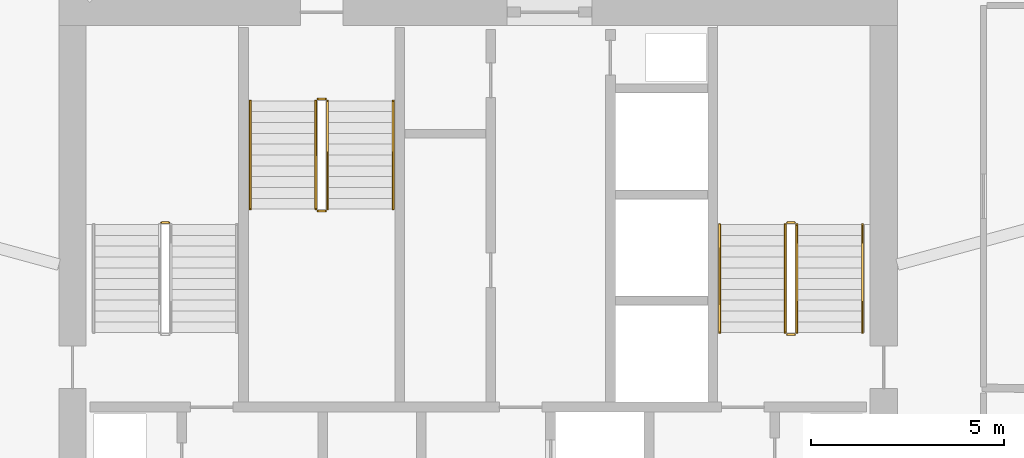
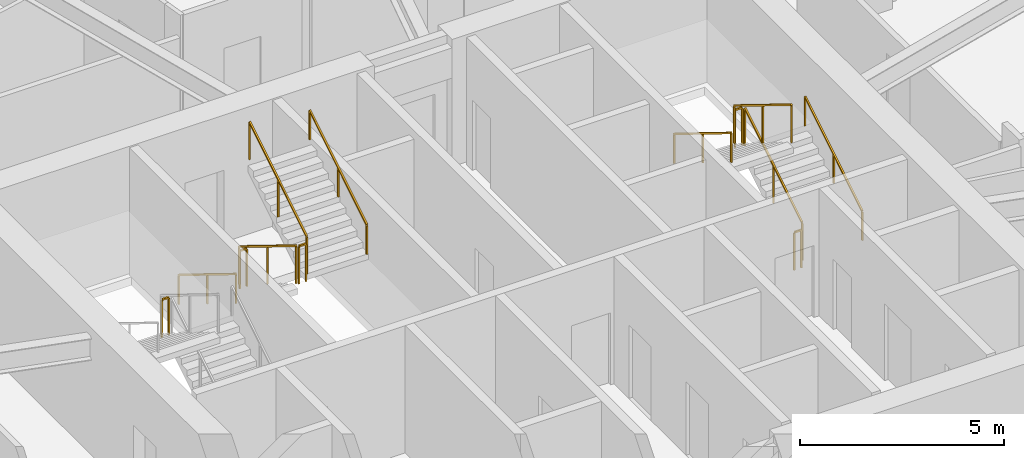
# One storey, part 24 of 25: 13 railings.
"""IFC4 building model written with IfcOpenShell, lengths in metres."""

from ifc_helpers import new_model, si_unit, direction, frame, origin, origin_2d, place, context, subcontext, project, spatial, rectangle, extrude, material, type_object, element, save


model = new_model("IFC4")

# Units and contexts
model_context = context("Model", 3, precision=1e-05, world=origin(), true_north=direction((0.0, 1.0)))
body_context = subcontext(model_context, "Body", "Model", "MODEL_VIEW")
ifc_project = project(units=[si_unit("LENGTHUNIT", "METRE"), si_unit("AREAUNIT", "SQUARE_METRE"), si_unit("VOLUMEUNIT", "CUBIC_METRE"), si_unit("PLANEANGLEUNIT", "RADIAN"), si_unit("MASSUNIT", "GRAM", prefix="KILO")], contexts=[model_context])

# Site, building, storey
site_placement = place(None, origin())
site = spatial("IfcSite", under=ifc_project, at=site_placement, CompositionType="ELEMENT")
building_placement = place(site_placement, origin())
building = spatial("IfcBuilding", under=site, at=building_placement, Name="Zuhravey Tower", CompositionType="ELEMENT")
storey_placement = place(building_placement, frame((0.0, 0.0, 180.800048828125)))
storey = spatial("IfcBuildingStorey", under=building, at=storey_placement, Name="L45", CompositionType="ELEMENT", Elevation=180.800048828125)

# Railings
ifc_material_1 = material(Name="Brushed stainless steel", Category="steel")
railing_type_1 = type_object("IfcRailingType", Name="Stair Wall Handrail 900", PredefinedType="HANDRAIL", material=ifc_material_1)
railing_1_placement = place(storey_placement, frame((45.949951171875, 33.199951171875, 0.172607421875)))
element("IfcRailing", 1, at=railing_1_placement, inside=storey, type_object=railing_type_1, Name="L45 ST2 stair handrail 1", PredefinedType="HANDRAIL", context=body_context, shape_type="SweptSolid", body=[
    extrude(rectangle(XDim=0.048095703125, YDim=0.048095703125, at=origin_2d()), frame((0.0, 0.001708984375, 0.876953125), z_axis=(0.0, 0.851089632645, 0.525020415988), x_axis=(-1.0, 0.0, 0.0)), (0.0, 0.0, 1.0), 3.285888671875),
    extrude(rectangle(XDim=0.0419921875, YDim=0.0419921875, at=origin_2d()), origin(), (0.0, 0.0, 1.0), 0.849853515625),
    extrude(rectangle(XDim=0.0419921875, YDim=0.0419921875, at=origin_2d()), frame((0.0, 1.39990234375, 0.86376953125)), (0.0, 0.0, 1.0), 0.849853515625),
    extrude(rectangle(XDim=0.0419921875, YDim=0.0419921875, at=origin_2d()), frame((0.0, 2.800048828125, 1.727294921875)), (0.0, 0.0, 1.0), 0.849853515625),
])
for number, where, name in (
    (2, (42.25, 36.0, 2.07275390625), "L45 ST2 stair handrail 2"),
    (3, (30.10009765625, 39.199951171875, 0.172607421875), "L45 ST3 stair handrail 1"),
):
    element("IfcRailing", number, at=place(storey_placement, frame(where)), inside=storey, type_object=railing_type_1, Name=name, PredefinedType="HANDRAIL", context=body_context, shape_type="SweptSolid", body=[
        extrude(rectangle(XDim=0.048095703125, YDim=0.048095703125, at=origin_2d()), frame((0.0, -0.001708984375, 0.876953125), z_axis=(0.0, -0.851089632645, 0.525020415988), x_axis=(1.0, 0.0, 0.0)), (0.0, 0.0, 1.0), 3.285888671875),
        extrude(rectangle(XDim=0.0419921875, YDim=0.0419921875, at=origin_2d()), origin(), (0.0, 0.0, 1.0), 0.849853515625),
        extrude(rectangle(XDim=0.0419921875, YDim=0.0419921875, at=origin_2d()), frame((0.0, -1.39990234375, 0.86376953125)), (0.0, 0.0, 1.0), 0.849853515625),
        extrude(rectangle(XDim=0.0419921875, YDim=0.0419921875, at=origin_2d()), frame((0.0, -2.800048828125, 1.727294921875)), (0.0, 0.0, 1.0), 0.849853515625),
    ])
railing_2_placement = place(storey_placement, frame((33.800048828125, 36.39990234375, 2.07275390625)))
element("IfcRailing", 4, at=railing_2_placement, inside=storey, type_object=railing_type_1, Name="L45 ST3 stair handrail 2", PredefinedType="HANDRAIL", context=body_context, shape_type="SweptSolid", body=[
    extrude(rectangle(XDim=0.048095703125, YDim=0.048095703125, at=origin_2d()), frame((0.0, 0.001708984375, 0.876953125), z_axis=(0.0, 0.851089632645, 0.525020415988), x_axis=(-1.0, 0.0, 0.0)), (0.0, 0.0, 1.0), 3.285888671875),
    extrude(rectangle(XDim=0.0419921875, YDim=0.0419921875, at=origin_2d()), origin(), (0.0, 0.0, 1.0), 0.849853515625),
    extrude(rectangle(XDim=0.0419921875, YDim=0.0419921875, at=origin_2d()), frame((0.0, 1.39990234375, 0.86376953125)), (0.0, 0.0, 1.0), 0.849853515625),
    extrude(rectangle(XDim=0.0419921875, YDim=0.0419921875, at=origin_2d()), frame((0.0, 2.800048828125, 1.727294921875)), (0.0, 0.0, 1.0), 0.849853515625),
])
ifc_material_2 = material(Name="Painted tubular steel", Category="steel")
railing_type_2 = type_object("IfcRailingType", Name="Stair Well Guardrail 1150", PredefinedType="GUARDRAIL", material=ifc_material_2)
railing_3_placement = place(storey_placement, frame((28.0, 36.050048828125, 1.89990234375)))
element("IfcRailing", 5, at=railing_3_placement, inside=storey, type_object=railing_type_2, Name="L45 ST1 stair guard 2", PredefinedType="GUARDRAIL", context=body_context, shape_type="SweptSolid", body=[
    extrude(rectangle(XDim=0.048095703125, YDim=0.048095703125, at=origin_2d()), frame((-0.001953125, 0.0, 1.1259765625), z_axis=(-1.0, 0.0, 0.0), x_axis=(0.0, -1.0, 0.0)), (0.0, 0.0, 1.0), 0.196044921875),
    extrude(rectangle(XDim=0.0419921875, YDim=0.0419921875, at=origin_2d()), origin(), (0.0, 0.0, 1.0), 1.099853515625),
    extrude(rectangle(XDim=0.0419921875, YDim=0.0419921875, at=origin_2d()), frame((-0.199951171875, 0.0, 0.0)), (0.0, 0.0, 1.0), 1.099853515625),
])
railing_4_placement = place(storey_placement, frame((44.25, 33.199951171875, 0.172607421875)))
element("IfcRailing", 6, at=railing_4_placement, inside=storey, type_object=railing_type_2, Name="L45 ST2 stair guard 1", PredefinedType="GUARDRAIL", context=body_context, shape_type="SweptSolid", body=[
    extrude(rectangle(XDim=0.048095703125, YDim=0.048095703125, at=origin_2d()), frame((0.0, 0.001708984375, 1.126953125), z_axis=(0.0, 0.851089632645, 0.525020415988), x_axis=(-1.0, 0.0, 0.0)), (0.0, 0.0, 1.0), 3.285888671875),
    extrude(rectangle(XDim=0.0419921875, YDim=0.0419921875, at=origin_2d()), origin(), (0.0, 0.0, 1.0), 1.099853515625),
    extrude(rectangle(XDim=0.0419921875, YDim=0.0419921875, at=origin_2d()), frame((0.0, 1.39990234375, 0.86376953125)), (0.0, 0.0, 1.0), 1.099853515625),
    extrude(rectangle(XDim=0.0419921875, YDim=0.0419921875, at=origin_2d()), frame((0.0, 2.800048828125, 1.727294921875)), (0.0, 0.0, 1.0), 1.099853515625),
])
railing_5_placement = place(storey_placement, frame((44.199951171875, 36.050048828125, 1.89990234375)))
element("IfcRailing", 7, at=railing_5_placement, inside=storey, type_object=railing_type_2, Name="L45 ST2 stair guard 2", PredefinedType="GUARDRAIL", context=body_context, shape_type="SweptSolid", body=[
    extrude(rectangle(XDim=0.048095703125, YDim=0.048095703125, at=origin_2d()), frame((-0.001953125, 0.0, 1.1259765625), z_axis=(-1.0, 0.0, 0.0), x_axis=(0.0, -1.0, 0.0)), (0.0, 0.0, 1.0), 0.196044921875),
    extrude(rectangle(XDim=0.0419921875, YDim=0.0419921875, at=origin_2d()), origin(), (0.0, 0.0, 1.0), 1.099853515625),
    extrude(rectangle(XDim=0.0419921875, YDim=0.0419921875, at=origin_2d()), frame((-0.199951171875, 0.0, 0.0)), (0.0, 0.0, 1.0), 1.099853515625),
])
railing_6_placement = place(storey_placement, frame((43.949951171875, 36.0, 2.07275390625)))
element("IfcRailing", 8, at=railing_6_placement, inside=storey, type_object=railing_type_2, Name="L45 ST2 stair guard 3", PredefinedType="GUARDRAIL", context=body_context, shape_type="SweptSolid", body=[
    extrude(rectangle(XDim=0.048095703125, YDim=0.048095703125, at=origin_2d()), frame((0.0, -0.001708984375, 1.126953125), z_axis=(0.0, -0.851089632645, 0.525020415988), x_axis=(1.0, 0.0, 0.0)), (0.0, 0.0, 1.0), 3.285888671875),
    extrude(rectangle(XDim=0.0419921875, YDim=0.0419921875, at=origin_2d()), origin(), (0.0, 0.0, 1.0), 1.099853515625),
    extrude(rectangle(XDim=0.0419921875, YDim=0.0419921875, at=origin_2d()), frame((0.0, -1.39990234375, 0.86376953125)), (0.0, 0.0, 1.0), 1.099853515625),
    extrude(rectangle(XDim=0.0419921875, YDim=0.0419921875, at=origin_2d()), frame((0.0, -2.800048828125, 1.727294921875)), (0.0, 0.0, 1.0), 1.099853515625),
])
railing_7_placement = place(storey_placement, frame((44.199951171875, 33.14990234375, 0.0)))
element("IfcRailing", 9, at=railing_7_placement, inside=storey, type_object=railing_type_2, Name="L45 ST2 stair guard 4", PredefinedType="GUARDRAIL", context=body_context, shape_type="SweptSolid", body=[
    extrude(rectangle(XDim=0.048095703125, YDim=0.048095703125, at=origin_2d()), frame((-0.001953125, 0.0, 1.1259765625), z_axis=(-1.0, 0.0, 0.0), x_axis=(0.0, -1.0, 0.0)), (0.0, 0.0, 1.0), 0.196044921875),
    extrude(rectangle(XDim=0.0419921875, YDim=0.0419921875, at=origin_2d()), origin(), (0.0, 0.0, 1.0), 1.099853515625),
    extrude(rectangle(XDim=0.0419921875, YDim=0.0419921875, at=origin_2d()), frame((-0.199951171875, 0.0, 0.0)), (0.0, 0.0, 1.0), 1.099853515625),
])
railing_8_placement = place(storey_placement, frame((31.800048828125, 39.199951171875, 0.172607421875)))
element("IfcRailing", 10, at=railing_8_placement, inside=storey, type_object=railing_type_2, Name="L45 ST3 stair guard 1", PredefinedType="GUARDRAIL", context=body_context, shape_type="SweptSolid", body=[
    extrude(rectangle(XDim=0.048095703125, YDim=0.048095703125, at=origin_2d()), frame((0.0, -0.001708984375, 1.126953125), z_axis=(0.0, -0.851089632645, 0.525020415988), x_axis=(1.0, 0.0, 0.0)), (0.0, 0.0, 1.0), 3.285888671875),
    extrude(rectangle(XDim=0.0419921875, YDim=0.0419921875, at=origin_2d()), origin(), (0.0, 0.0, 1.0), 1.099853515625),
    extrude(rectangle(XDim=0.0419921875, YDim=0.0419921875, at=origin_2d()), frame((0.0, -1.39990234375, 0.86376953125)), (0.0, 0.0, 1.0), 1.099853515625),
    extrude(rectangle(XDim=0.0419921875, YDim=0.0419921875, at=origin_2d()), frame((0.0, -2.800048828125, 1.727294921875)), (0.0, 0.0, 1.0), 1.099853515625),
])
railing_9_placement = place(storey_placement, frame((31.85009765625, 36.35009765625, 1.89990234375)))
element("IfcRailing", 11, at=railing_9_placement, inside=storey, type_object=railing_type_2, Name="L45 ST3 stair guard 2", PredefinedType="GUARDRAIL", context=body_context, shape_type="SweptSolid", body=[
    extrude(rectangle(XDim=0.048095703125, YDim=0.048095703125, at=origin_2d()), frame((0.001953125, 0.0, 1.1259765625), z_axis=(1.0, 0.0, 0.0), x_axis=(0.0, 1.0, 0.0)), (0.0, 0.0, 1.0), 0.196044921875),
    extrude(rectangle(XDim=0.0419921875, YDim=0.0419921875, at=origin_2d()), origin(), (0.0, 0.0, 1.0), 1.099853515625),
    extrude(rectangle(XDim=0.0419921875, YDim=0.0419921875, at=origin_2d()), frame((0.199951171875, 0.0, 0.0)), (0.0, 0.0, 1.0), 1.099853515625),
])
railing_10_placement = place(storey_placement, frame((32.10009765625, 36.39990234375, 2.07275390625)))
element("IfcRailing", 12, at=railing_10_placement, inside=storey, type_object=railing_type_2, Name="L45 ST3 stair guard 3", PredefinedType="GUARDRAIL", context=body_context, shape_type="SweptSolid", body=[
    extrude(rectangle(XDim=0.048095703125, YDim=0.048095703125, at=origin_2d()), frame((0.0, 0.001708984375, 1.126953125), z_axis=(0.0, 0.851089632645, 0.525020415988), x_axis=(-1.0, 0.0, 0.0)), (0.0, 0.0, 1.0), 3.285888671875),
    extrude(rectangle(XDim=0.0419921875, YDim=0.0419921875, at=origin_2d()), origin(), (0.0, 0.0, 1.0), 1.099853515625),
    extrude(rectangle(XDim=0.0419921875, YDim=0.0419921875, at=origin_2d()), frame((0.0, 1.39990234375, 0.86376953125)), (0.0, 0.0, 1.0), 1.099853515625),
    extrude(rectangle(XDim=0.0419921875, YDim=0.0419921875, at=origin_2d()), frame((0.0, 2.800048828125, 1.727294921875)), (0.0, 0.0, 1.0), 1.099853515625),
])
railing_11_placement = place(storey_placement, frame((31.85009765625, 39.25, 0.0)))
element("IfcRailing", 13, at=railing_11_placement, inside=storey, type_object=railing_type_2, Name="L45 ST3 stair guard 4", PredefinedType="GUARDRAIL", context=body_context, shape_type="SweptSolid", body=[
    extrude(rectangle(XDim=0.048095703125, YDim=0.048095703125, at=origin_2d()), frame((0.001953125, 0.0, 1.1259765625), z_axis=(1.0, 0.0, 0.0), x_axis=(0.0, 1.0, 0.0)), (0.0, 0.0, 1.0), 0.196044921875),
    extrude(rectangle(XDim=0.0419921875, YDim=0.0419921875, at=origin_2d()), origin(), (0.0, 0.0, 1.0), 1.099853515625),
    extrude(rectangle(XDim=0.0419921875, YDim=0.0419921875, at=origin_2d()), frame((0.199951171875, 0.0, 0.0)), (0.0, 0.0, 1.0), 1.099853515625),
])

save(model, "model.ifc")
